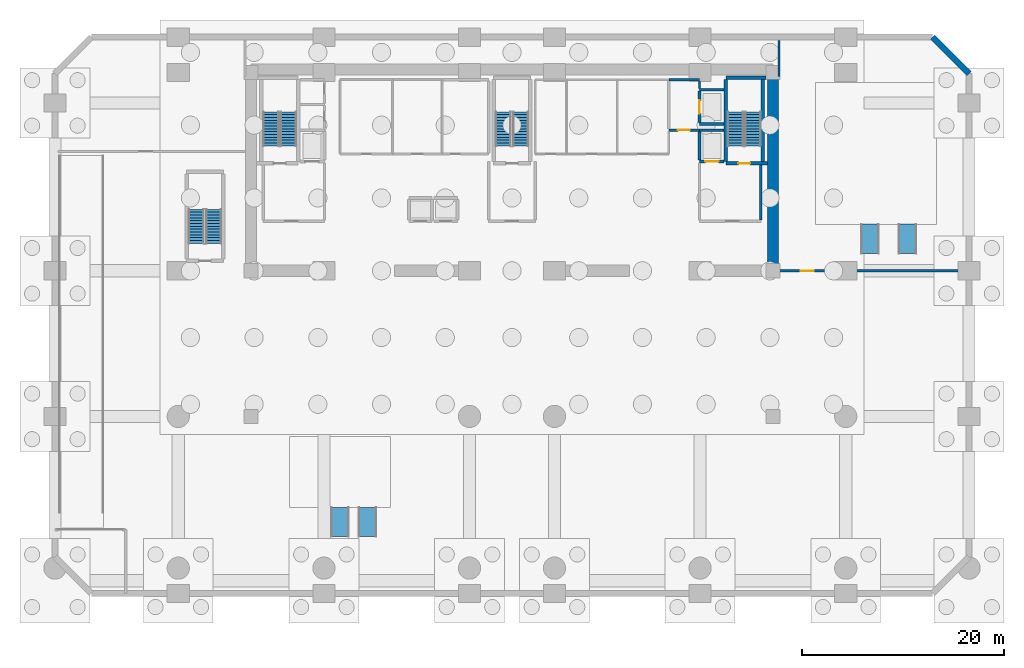
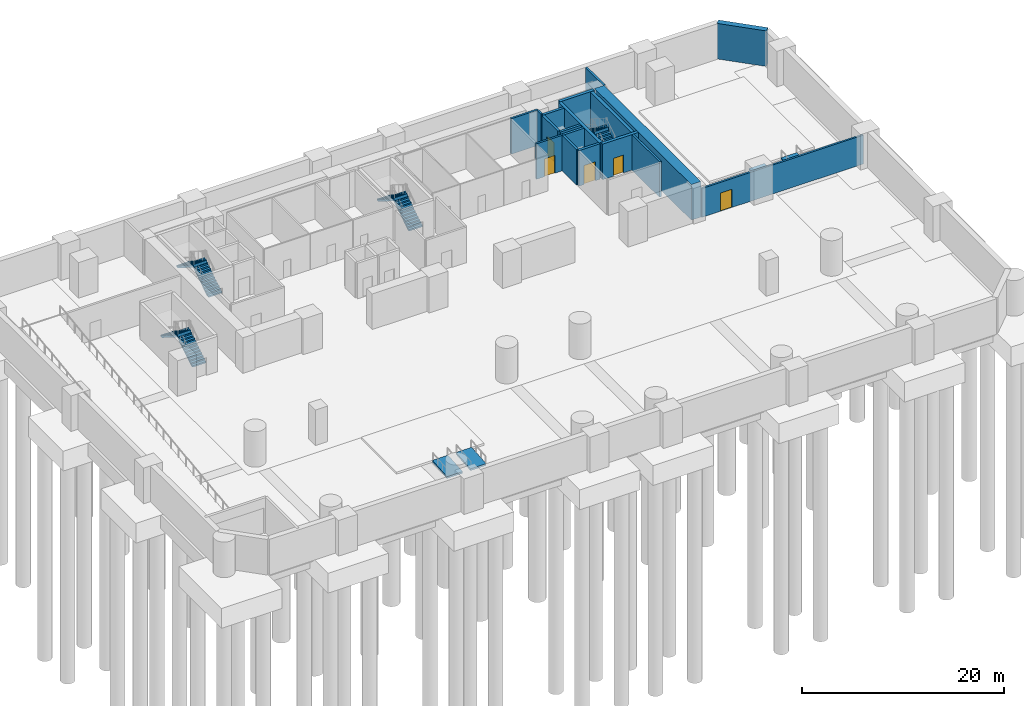
# One storey, part 6 of 10: 18 walls, 8 stair flights, 5 doors, 4 ramp flights, 5 openings, 8 elements without a shape of their own.
"""IFC4 building model written with IfcOpenShell, lengths in metres."""

from ifc_helpers import new_model, si_unit, direction, frame, frame_2d, origin, place, context, subcontext, project, spatial, polyline, rectangle, outline, extrude, material, layer, layer_set, type_object, element, fill, aggregate, save


model = new_model("IFC4")

# Units and contexts
model_context = context("Model", 3, precision=1e-05, world=origin(), true_north=direction((0.0, 1.0)))
body_context = subcontext(model_context, "Body", "Model", "MODEL_VIEW")
ifc_project = project(units=[si_unit("LENGTHUNIT", "METRE"), si_unit("AREAUNIT", "SQUARE_METRE"), si_unit("VOLUMEUNIT", "CUBIC_METRE"), si_unit("PLANEANGLEUNIT", "RADIAN"), si_unit("MASSUNIT", "GRAM", prefix="KILO")], contexts=[model_context])

# Site, building, storey
site_placement = place(None, origin())
site = spatial("IfcSite", under=ifc_project, at=site_placement, CompositionType="ELEMENT")
building_placement = place(site_placement, origin())
building = spatial("IfcBuilding", under=site, at=building_placement, Name="Kaelvorn Grand Hotel", CompositionType="ELEMENT")
storey_placement = place(building_placement, frame((0.0, 0.0, -9.199951171875)))
storey = spatial("IfcBuildingStorey", under=building, at=storey_placement, Name="B02", CompositionType="ELEMENT", Elevation=-9.199951171875)

# Walls
ifc_material_1 = material(Name="Concrete C80/95", Category="concrete")
ifc_layer_1 = layer(ifc_material_1, 1.10009765625)
ifc_layer_set_1 = layer_set([ifc_layer_1], Name="Concrete C80/95")
wall_type_1 = type_object("IfcWallType", Name="WL-CORE-1100-C80", PredefinedType="SHEAR", material=ifc_layer_set_1)
wall_1_placement = place(storey_placement, frame((67.800048828125, 29.39990234375, 0.0), z_axis=(0.0, 0.0, 1.0), x_axis=(0.0, 1.0, 0.0)))
element("IfcWall", 1, at=wall_1_placement, inside=storey, type_object=wall_type_1, Name="B02 Rear-Core East Shear Wall", PredefinedType="SHEAR", context=body_context, shape_type="SweptSolid", body=[
    extrude(rectangle(XDim=19.2001953125, YDim=1.10009765625, at=frame_2d((9.60009765625, 0.0))), origin(), (0.0, 0.0, 1.0), 4.300048828125),
])
ifc_material_2 = material(Name="Concrete C40/50", Category="concrete")
ifc_layer_2 = layer(ifc_material_2, 0.219970703125)
ifc_layer_set_2 = layer_set([ifc_layer_2], Name="Concrete C40/50")
wall_type_2 = type_object("IfcWallType", Name="WL-PART-220-EI120", PredefinedType="PARTITIONING", material=ifc_layer_set_2)
wall_2_placement = place(storey_placement, frame((66.60009765625, 34.4150390625, 0.0), z_axis=(0.0, 0.0, 1.0), x_axis=(0.0, 1.0, 0.0)))
element("IfcWall", 2, at=wall_2_placement, inside=storey, type_object=wall_type_2, Name="B02 Firefighting Lift Lobby 2 E Partition", PredefinedType="PARTITIONING", context=body_context, shape_type="SweptSolid", body=[
    extrude(rectangle(XDim=5.429931640625, YDim=0.219970703125, at=frame_2d((2.71484375, 0.0))), origin(), (0.0, 0.0, 1.0), 4.300048828125),
])

# Wall, opening, door
wall_3_placement = place(storey_placement, frame((57.5, 43.300048828125, 0.0), z_axis=(0.0, 0.0, 1.0), x_axis=(1.0, 0.0, 0.0)))
wall_3 = element("IfcWall", 3, at=wall_3_placement, inside=storey, type_object=wall_type_2, Name="B02 Service Lift Lobby S Partition", PredefinedType="PARTITIONING", context=body_context, shape_type="SweptSolid", body=[
    extrude(rectangle(XDim=3.0400390625, YDim=0.219970703125, at=frame_2d((1.52001953125, 0.0))), origin(), (0.0, 0.0, 1.0), 4.300048828125),
])
opening_1_placement = place(wall_3_placement, frame((0.89990234375, 0.0, 0.0)))
opening_1 = element("IfcOpeningElement", 4, at=opening_1_placement, cuts=wall_3, Name="Opening DI2", PredefinedType="OPENING", context=body_context, shape_type="SweptSolid", body=[
    extrude(rectangle(XDim=1.199951171875, YDim=2.14990234375, at=frame_2d((0.60009765625, 1.074951171875))), frame((0.0, 0.1201171875, 0.0), z_axis=(0.0, -1.0, 0.0), x_axis=(1.0, 0.0, 0.0)), (0.0, 0.0, 1.0), 0.239990234375),
])
ifc_material_3 = material(Name="Timber Veneer Fire Leaf", Category="wood")
door_type_1 = type_object("IfcDoorType", Name="DR-INT-FFLOB-1200x2150", OperationType="NOTDEFINED", PredefinedType="DOOR", material=ifc_material_3)
door_1_placement = place(opening_1_placement, origin())
door_1 = element("IfcDoor", 5, at=door_1_placement, inside=storey, type_object=door_type_1, Name="B02 Service Lift Lobby Door", OperationType="SINGLE_SWING_LEFT", OverallHeight=2.14990234375, OverallWidth=1.199951171875, PredefinedType="DOOR", context=body_context, shape_type="SweptSolid", body=[
    extrude(rectangle(XDim=1.199951171875, YDim=2.14990234375, at=frame_2d((0.60009765625, 1.074951171875))), frame((0.0, 0.02490234375, 0.0), z_axis=(0.0, -1.0, 0.0), x_axis=(1.0, 0.0, 0.0)), (0.0, 0.0, 1.0), 0.050048828125),
])
fill(opening_1, door_1)

# Walls
wall_4_placement = place(storey_placement, frame((57.5, 48.300048828125, 0.0), z_axis=(0.0, 0.0, 1.0), x_axis=(1.0, 0.0, 0.0)))
element("IfcWall", 6, at=wall_4_placement, inside=storey, type_object=wall_type_2, Name="B02 Service Lift Lobby N Partition", PredefinedType="PARTITIONING", context=body_context, shape_type="SweptSolid", body=[
    extrude(rectangle(XDim=3.050048828125, YDim=0.219970703125, at=frame_2d((1.52490234375, 0.0))), origin(), (0.0, 0.0, 1.0), 4.300048828125),
])
wall_5_placement = place(storey_placement, frame((60.550048828125, 47.445068359375, 0.0), z_axis=(0.0, 0.0, 1.0), x_axis=(0.0, 1.0, 0.0)))
element("IfcWall", 7, at=wall_5_placement, inside=storey, type_object=wall_type_2, Name="B02 Service Lift Lobby E Partition", PredefinedType="PARTITIONING", context=body_context, shape_type="SweptSolid", body=[
    extrude(rectangle(XDim=0.739990234375, YDim=0.219970703125, at=frame_2d((0.3701171875, 0.0))), origin(), (0.0, 0.0, 1.0), 4.300048828125),
])

# Wall, opening, door
wall_6_placement = place(storey_placement, frame((68.39990234375, 29.39990234375, 0.0), z_axis=(0.0, 0.0, 1.0), x_axis=(1.0, 0.0, 0.0)))
wall_6 = element("IfcWall", 8, at=wall_6_placement, inside=storey, type_object=wall_type_2, Name="B02 Central Water-Cooled Chiller Plant Room S Partition", PredefinedType="PARTITIONING", context=body_context, shape_type="SweptSolid", body=[
    extrude(rectangle(XDim=18.4951171875, YDim=0.219970703125, at=frame_2d((9.24755859375, 0.0))), origin(), (0.0, 0.0, 1.0), 3.5),
])
opening_2_placement = place(wall_6_placement, frame((2.14990234375, 0.0, 0.0)))
opening_2 = element("IfcOpeningElement", 9, at=opening_2_placement, cuts=wall_6, Name="Opening DI6", PredefinedType="OPENING", context=body_context, shape_type="SweptSolid", body=[
    extrude(rectangle(XDim=1.300048828125, YDim=2.199951171875, at=frame_2d((0.64990234375, 1.10009765625))), frame((0.0, 0.1201171875, 0.0), z_axis=(0.0, -1.0, 0.0), x_axis=(1.0, 0.0, 0.0)), (0.0, 0.0, 1.0), 0.239990234375),
])
ifc_material_4 = material(Name="Powder-Coated Steel Leaf", Category="steel")
door_type_2 = type_object("IfcDoorType", Name="DR-INT-PLANT-1300x2200", OperationType="DOUBLE_DOOR_SINGLE_SWING", PredefinedType="DOOR", material=ifc_material_4)
door_2_placement = place(opening_2_placement, origin())
door_2 = element("IfcDoor", 10, at=door_2_placement, inside=storey, type_object=door_type_2, Name="B02 Central Water-Cooled Chiller Plant Room Door", OperationType="DOUBLE_DOOR_SINGLE_SWING", OverallHeight=2.199951171875, OverallWidth=1.300048828125, PredefinedType="DOOR", context=body_context, shape_type="SweptSolid", body=[
    extrude(rectangle(XDim=1.300048828125, YDim=2.199951171875, at=frame_2d((0.64990234375, 1.10009765625))), frame((0.0, 0.02490234375, 0.0), z_axis=(0.0, -1.0, 0.0), x_axis=(1.0, 0.0, 0.0)), (0.0, 0.0, 1.0), 0.050048828125),
])
fill(opening_2, door_2)

# Walls
wall_7_placement = place(storey_placement, frame((68.39990234375, 48.610107421875, 0.0), z_axis=(0.0, 0.0, 1.0), x_axis=(0.0, 1.0, 0.0)))
element("IfcWall", 11, at=wall_7_placement, inside=storey, type_object=wall_type_2, Name="B02 Central Water-Cooled Chiller Plant Room W Partition", PredefinedType="PARTITIONING", context=body_context, shape_type="SweptSolid", body=[
    extrude(rectangle(XDim=3.5849609375, YDim=0.219970703125, at=frame_2d((1.79248046875, 0.0))), origin(), (0.0, 0.0, 1.0), 4.300048828125),
])
ifc_material_5 = material(Name="Concrete C50/60", Category="concrete")
ifc_layer_3 = layer(ifc_material_5, 0.60009765625)
ifc_layer_set_3 = layer_set([ifc_layer_3], Name="Concrete C50/60")
wall_type_3 = type_object("IfcWallType", Name="WL-RET-600-C50", PredefinedType="USERDEFINED", material=ifc_layer_set_3)
wall_8_placement = place(storey_placement, frame((87.199951171875, 48.89990234375, 0.0), z_axis=(0.0, 0.0, 1.0), x_axis=(-0.707082803744, 0.707130757816, 0.0)))
element("IfcWall", 12, at=wall_8_placement, inside=storey, type_object=wall_type_3, Name="B02 Perimeter Tanked Retaining Wall 04", ObjectType="RETAININGWALL", PredefinedType="USERDEFINED", context=body_context, shape_type="SweptSolid", body=[
    extrude(rectangle(XDim=5.091064453125, YDim=0.60009765625, at=frame_2d((2.54541015625, 0.0))), origin(), (0.0, 0.0, 1.0), 4.300048828125),
])

# Wall, opening, door
ifc_layer_4 = layer(ifc_material_5, 0.280029296875)
ifc_layer_set_4 = layer_set([ifc_layer_4], Name="Concrete C50/60")
wall_type_4 = type_object("IfcWallType", Name="WL-SHAFT-280-C50", PredefinedType="SHEAR", material=ifc_layer_set_4)
wall_9_placement = place(storey_placement, frame((60.550048828125, 40.199951171875, 0.0), z_axis=(0.0, 0.0, 1.0), x_axis=(1.0, 0.0, 0.0)))
wall_9 = element("IfcWall", 13, at=wall_9_placement, inside=storey, type_object=wall_type_4, Name="B02 Lift FFL2 Shaft South Wall", PredefinedType="SHEAR", context=body_context, shape_type="SweptSolid", body=[
    extrude(rectangle(XDim=2.4150390625, YDim=0.280029296875, at=frame_2d((1.20751953125, 0.0))), origin(), (0.0, 0.0, 1.0), 4.300048828125),
])
opening_3_placement = place(wall_9_placement, frame((0.574951171875, 0.0, 0.0)))
opening_3 = element("IfcOpeningElement", 14, at=opening_3_placement, cuts=wall_9, Name="Opening LD-FFL2", PredefinedType="OPENING", context=body_context, shape_type="SweptSolid", body=[
    extrude(rectangle(XDim=1.300048828125, YDim=2.300048828125, at=frame_2d((0.64990234375, 1.14990234375))), frame((0.0, 0.14990234375, 0.0), z_axis=(0.0, -1.0, 0.0), x_axis=(1.0, 0.0, 0.0)), (0.0, 0.0, 1.0), 0.300048828125),
])
ifc_material_6 = material(Name="Stainless Steel", Category="steel")
door_type_3 = type_object("IfcDoorType", Name="DR-LIFT-SERV-1300x2300", OperationType="DOUBLE_DOOR_SLIDING", PredefinedType="DOOR", material=ifc_material_6)
door_3_placement = place(opening_3_placement, origin())
door_3 = element("IfcDoor", 15, at=door_3_placement, inside=storey, type_object=door_type_3, Name="B02 Lift FFL2 Sliding Landing Door LD-FFL2", OperationType="DOUBLE_DOOR_SLIDING", OverallHeight=2.300048828125, OverallWidth=1.300048828125, PredefinedType="DOOR", context=body_context, shape_type="SweptSolid", body=[
    extrude(rectangle(XDim=1.300048828125, YDim=2.300048828125, at=frame_2d((0.64990234375, 1.14990234375))), frame((0.0, 0.02490234375, 0.0), z_axis=(0.0, -1.0, 0.0), x_axis=(1.0, 0.0, 0.0)), (0.0, 0.0, 1.0), 0.050048828125),
])
fill(opening_3, door_3)

# Walls
wall_10_placement = place(storey_placement, frame((60.550048828125, 43.300048828125, 0.0), z_axis=(0.0, 0.0, 1.0), x_axis=(1.0, 0.0, 0.0)))
element("IfcWall", 16, at=wall_10_placement, inside=storey, type_object=wall_type_4, Name="B02 Lift FFL2 Shaft North Wall", PredefinedType="SHEAR", context=body_context, shape_type="SweptSolid", body=[
    extrude(rectangle(XDim=2.4150390625, YDim=0.280029296875, at=frame_2d((1.20751953125, 0.0))), origin(), (0.0, 0.0, 1.0), 4.300048828125),
])
wall_11_placement = place(storey_placement, frame((60.550048828125, 40.344970703125, 0.0), z_axis=(0.0, 0.0, 1.0), x_axis=(0.0, 1.0, 0.0)))
element("IfcWall", 17, at=wall_11_placement, inside=storey, type_object=wall_type_4, Name="B02 Lift FFL2 Shaft West Wall", PredefinedType="SHEAR", context=body_context, shape_type="SweptSolid", body=[
    extrude(rectangle(XDim=2.81005859375, YDim=0.280029296875, at=frame_2d((1.405029296875, 0.0))), origin(), (0.0, 0.0, 1.0), 4.300048828125),
])
for number, where, z_axis, x_axis, name in (
    (18, (60.550048828125, 43.89990234375, 0.0), (0.0, 0.0, 1.0), (1.0, 0.0, 0.0), "B02 Lift SV1 Shaft South Wall"),
    (19, (60.550048828125, 47.300048828125, 0.0), (0.0, 0.0, 1.0), (1.0, 0.0, 0.0), "B02 Lift SV1 Shaft North Wall"),
):
    element("IfcWall", number, at=place(storey_placement, frame(where, z_axis=z_axis, x_axis=x_axis)), inside=storey, type_object=wall_type_4, Name=name, PredefinedType="SHEAR", context=body_context, shape_type="SweptSolid", body=[
        extrude(rectangle(XDim=2.4150390625, YDim=0.280029296875, at=frame_2d((1.20751953125, 0.0))), origin(), (0.0, 0.0, 1.0), 4.300048828125),
    ])

# Wall, opening, door
wall_12_placement = place(storey_placement, frame((60.550048828125, 44.044921875, 0.0), z_axis=(0.0, 0.0, 1.0), x_axis=(0.0, 1.0, 0.0)))
wall_12 = element("IfcWall", 20, at=wall_12_placement, inside=storey, type_object=wall_type_4, Name="B02 Lift SV1 Shaft West Wall", PredefinedType="SHEAR", context=body_context, shape_type="SweptSolid", body=[
    extrude(rectangle(XDim=3.110107421875, YDim=0.280029296875, at=frame_2d((1.55517578125, 0.0))), origin(), (0.0, 0.0, 1.0), 4.300048828125),
])
opening_4_placement = place(wall_12_placement, frame((0.905029296875, 0.0, 0.0)))
opening_4 = element("IfcOpeningElement", 21, at=opening_4_placement, cuts=wall_12, Name="Opening LD-SV1", PredefinedType="OPENING", context=body_context, shape_type="SweptSolid", body=[
    extrude(rectangle(XDim=1.300048828125, YDim=2.300048828125, at=frame_2d((0.64990234375, 1.14990234375))), frame((0.0, 0.14990234375, 0.0), z_axis=(0.0, -1.0, 0.0), x_axis=(1.0, 0.0, 0.0)), (0.0, 0.0, 1.0), 0.300048828125),
])
door_4_placement = place(opening_4_placement, origin())
door_4 = element("IfcDoor", 22, at=door_4_placement, inside=storey, type_object=door_type_3, Name="B02 Lift SV1 Sliding Landing Door LD-SV1", OperationType="DOUBLE_DOOR_SLIDING", OverallHeight=2.300048828125, OverallWidth=1.300048828125, PredefinedType="DOOR", context=body_context, shape_type="SweptSolid", body=[
    extrude(rectangle(XDim=1.300048828125, YDim=2.300048828125, at=frame_2d((0.64990234375, 1.14990234375))), frame((0.0, 0.02490234375, 0.0), z_axis=(0.0, -1.0, 0.0), x_axis=(1.0, 0.0, 0.0)), (0.0, 0.0, 1.0), 0.050048828125),
])
fill(opening_4, door_4)

ifc_material_7 = material(Name="Concrete C60/75", Category="concrete")
ifc_layer_5 = layer(ifc_material_7, 0.35009765625)
ifc_layer_set_5 = layer_set([ifc_layer_5], Name="Concrete C60/75")
wall_type_5 = type_object("IfcWallType", Name="WL-SHAFT-350-C60", PredefinedType="SHEAR", material=ifc_layer_set_5)
wall_13_placement = place(storey_placement, frame((63.14501953125, 40.02490234375, 0.0), z_axis=(0.0, 0.0, 1.0), x_axis=(1.0, 0.0, 0.0)))
wall_13 = element("IfcWall", 23, at=wall_13_placement, inside=storey, type_object=wall_type_5, Name="B02 ST3 Stair Shaft South Wall", PredefinedType="SHEAR", context=body_context, shape_type="SweptSolid", body=[
    extrude(rectangle(XDim=4.10009765625, YDim=0.35009765625, at=frame_2d((2.050048828125, 0.0))), origin(), (0.0, 0.0, 1.0), 4.300048828125),
])
opening_5_placement = place(wall_13_placement, frame((1.239990234375, 0.0, 0.0)))
opening_5 = element("IfcOpeningElement", 24, at=opening_5_placement, cuts=wall_13, Name="Opening DI1", PredefinedType="OPENING", context=body_context, shape_type="SweptSolid", body=[
    extrude(rectangle(XDim=1.14990234375, YDim=2.14990234375, at=frame_2d((0.574951171875, 1.074951171875))), frame((0.0, 0.18505859375, 0.0), z_axis=(0.0, -1.0, 0.0), x_axis=(1.0, 0.0, 0.0)), (0.0, 0.0, 1.0), 0.3701171875),
])
door_type_4 = type_object("IfcDoorType", Name="DR-INT-STAIR-1150x2150", OperationType="NOTDEFINED", PredefinedType="DOOR", material=ifc_material_3)
door_5_placement = place(opening_5_placement, origin())
door_5 = element("IfcDoor", 25, at=door_5_placement, inside=storey, type_object=door_type_4, Name="B02 ST3 Exit Stair Fire Door", OperationType="SINGLE_SWING_RIGHT", OverallHeight=2.14990234375, OverallWidth=1.14990234375, PredefinedType="DOOR", context=body_context, shape_type="SweptSolid", body=[
    extrude(rectangle(XDim=1.14990234375, YDim=2.14990234375, at=frame_2d((0.574951171875, 1.074951171875))), frame((0.0, 0.02490234375, 0.0), z_axis=(0.0, -1.0, 0.0), x_axis=(1.0, 0.0, 0.0)), (0.0, 0.0, 1.0), 0.050048828125),
])
fill(opening_5, door_5)

# Walls
wall_14_placement = place(storey_placement, frame((63.14501953125, 48.47509765625, 0.0), z_axis=(0.0, 0.0, 1.0), x_axis=(1.0, 0.0, 0.0)))
element("IfcWall", 26, at=wall_14_placement, inside=storey, type_object=wall_type_5, Name="B02 ST3 Stair Shaft North Wall", PredefinedType="SHEAR", context=body_context, shape_type="SweptSolid", body=[
    extrude(rectangle(XDim=3.949951171875, YDim=0.35009765625, at=frame_2d((1.97509765625, 0.0))), origin(), (0.0, 0.0, 1.0), 4.300048828125),
])
for number, where, z_axis, x_axis, name in (
    (27, (63.14501953125, 40.205078125, 0.0), (0.0, 0.0, 1.0), (0.0, 1.0, 0.0), "B02 ST3 Stair Shaft West Wall"),
    (28, (66.77490234375, 40.205078125, 0.0), (0.0, 0.0, 1.0), (0.0, 1.0, 0.0), "B02 ST3 Stair Shaft East Wall"),
):
    element("IfcWall", number, at=place(storey_placement, frame(where, z_axis=z_axis, x_axis=x_axis)), inside=storey, type_object=wall_type_5, Name=name, PredefinedType="SHEAR", context=body_context, shape_type="SweptSolid", body=[
        extrude(rectangle(XDim=8.08984375, YDim=0.35009765625, at=frame_2d((4.044921875, 0.0))), origin(), (0.0, 0.0, 1.0), 4.300048828125),
    ])

# Stair, stair flights
stair_type = type_object("IfcStairType", Name="STR-DOG-1560-R01", PredefinedType="HALF_TURN_STAIR", material=ifc_material_2)
stair_1_placement = place(storey_placement, origin())
stair_1 = element("IfcStair", 29, at=stair_1_placement, inside=storey, type_object=stair_type, Name="B02 West Core Exit Stair ST1", PredefinedType="HALF_TURN_STAIR")
stair_flight_type = type_object("IfcStairFlightType", Name="FLG-DOG-1560-R01", PredefinedType="STRAIGHT", material=ifc_material_2)
stair_flight_1_placement = place(storey_placement, frame((19.89990234375, 41.760009765625, 0.0), z_axis=(0.0, 0.0, 1.0), x_axis=(0.0, 1.0, 0.0)))
stair_flight_1 = element("IfcStairFlight", 30, at=stair_flight_1_placement, type_object=stair_flight_type, Name="ST1 flight 1", NumberOfRisers=13, NumberOfTreads=12, PredefinedType="STRAIGHT", RiserHeight=0.176923077, TreadLength=0.28, context=body_context, shape_type="SweptSolid", body=[
    extrude(outline(polyline([(-0.0048828125, 0.0), (-0.0048828125, 0.0400390625), (0.0, 0.177001953125), (0.280029296875, 0.177001953125), (0.280029296875, 0.353759765625), (0.56005859375, 0.353759765625), (0.56005859375, 0.53076171875), (0.840087890625, 0.53076171875), (0.840087890625, 0.707763671875), (1.1201171875, 0.707763671875), (1.1201171875, 0.884521484375), (1.39990234375, 0.884521484375), (1.39990234375, 1.0615234375), (1.679931640625, 1.0615234375), (1.679931640625, 1.238525390625), (1.9599609375, 1.238525390625), (1.9599609375, 1.415283203125), (2.239990234375, 1.415283203125), (2.239990234375, 1.59228515625), (2.52001953125, 1.59228515625), (2.52001953125, 1.769287109375), (2.800048828125, 1.769287109375), (2.800048828125, 1.946044921875), (3.080078125, 1.946044921875), (3.080078125, 2.123046875), (3.360107421875, 2.123046875), (3.360107421875, 2.300048828125), (3.364990234375, 2.300048828125), (3.364990234375, 1.94580078125), (0.280517578125, 0.0), (-0.0048828125, 0.0)])), frame((0.0, 0.780029296875, 0.0), z_axis=(0.0, -1.0, 0.0), x_axis=(1.0, 0.0, 0.0)), (0.0, 0.0, 1.0), 1.56005859375),
])
stair_flight_2_placement = place(storey_placement, frame((18.179931640625, 45.1201171875, 2.300048828125), z_axis=(0.0, 0.0, 1.0), x_axis=(0.0, -1.0, 0.0)))
stair_flight_2 = element("IfcStairFlight", 31, at=stair_flight_2_placement, type_object=stair_flight_type, Name="ST1 flight 2", NumberOfRisers=13, NumberOfTreads=12, PredefinedType="STRAIGHT", RiserHeight=0.176923077, TreadLength=0.28, context=body_context, shape_type="SweptSolid", body=[
    extrude(outline(polyline([(-0.0048828125, 0.0), (-0.0048828125, 0.0400390625), (0.0, 0.177001953125), (0.280029296875, 0.177001953125), (0.280029296875, 0.353759765625), (0.56005859375, 0.353759765625), (0.56005859375, 0.53076171875), (0.840087890625, 0.53076171875), (0.840087890625, 0.707763671875), (1.1201171875, 0.707763671875), (1.1201171875, 0.884521484375), (1.39990234375, 0.884521484375), (1.39990234375, 1.0615234375), (1.679931640625, 1.0615234375), (1.679931640625, 1.238525390625), (1.9599609375, 1.238525390625), (1.9599609375, 1.415283203125), (2.239990234375, 1.415283203125), (2.239990234375, 1.59228515625), (2.52001953125, 1.59228515625), (2.52001953125, 1.769287109375), (2.800048828125, 1.769287109375), (2.800048828125, 1.946044921875), (3.080078125, 1.946044921875), (3.080078125, 2.123046875), (3.360107421875, 2.123046875), (3.360107421875, 2.300048828125), (3.364990234375, 2.300048828125), (3.364990234375, 1.94580078125), (0.280517578125, 0.0), (-0.0048828125, 0.0)])), frame((0.0, 0.780029296875, 0.0), z_axis=(0.0, -1.0, 0.0), x_axis=(1.0, 0.0, 0.0)), (0.0, 0.0, 1.0), 1.56005859375),
])
aggregate(stair_1, [stair_flight_1, stair_flight_2])

stair_2_placement = place(storey_placement, origin())
stair_2 = element("IfcStair", 32, at=stair_2_placement, inside=storey, type_object=stair_type, Name="B02 Central Core Exit Stair ST2", PredefinedType="HALF_TURN_STAIR")
stair_flight_3_placement = place(storey_placement, frame((42.860107421875, 41.760009765625, 0.0), z_axis=(0.0, 0.0, 1.0), x_axis=(0.0, 1.0, 0.0)))
stair_flight_3 = element("IfcStairFlight", 33, at=stair_flight_3_placement, type_object=stair_flight_type, Name="ST2 flight 1", NumberOfRisers=13, NumberOfTreads=12, PredefinedType="STRAIGHT", RiserHeight=0.176923077, TreadLength=0.28, context=body_context, shape_type="SweptSolid", body=[
    extrude(outline(polyline([(-0.0048828125, 0.0), (-0.0048828125, 0.0400390625), (0.0, 0.177001953125), (0.280029296875, 0.177001953125), (0.280029296875, 0.353759765625), (0.56005859375, 0.353759765625), (0.56005859375, 0.53076171875), (0.840087890625, 0.53076171875), (0.840087890625, 0.707763671875), (1.1201171875, 0.707763671875), (1.1201171875, 0.884521484375), (1.39990234375, 0.884521484375), (1.39990234375, 1.0615234375), (1.679931640625, 1.0615234375), (1.679931640625, 1.238525390625), (1.9599609375, 1.238525390625), (1.9599609375, 1.415283203125), (2.239990234375, 1.415283203125), (2.239990234375, 1.59228515625), (2.52001953125, 1.59228515625), (2.52001953125, 1.769287109375), (2.800048828125, 1.769287109375), (2.800048828125, 1.946044921875), (3.080078125, 1.946044921875), (3.080078125, 2.123046875), (3.360107421875, 2.123046875), (3.360107421875, 2.300048828125), (3.364990234375, 2.300048828125), (3.364990234375, 1.94580078125), (0.280517578125, 0.0), (-0.0048828125, 0.0)])), frame((0.0, 0.780029296875, 0.0), z_axis=(0.0, -1.0, 0.0), x_axis=(1.0, 0.0, 0.0)), (0.0, 0.0, 1.0), 1.56005859375),
])
stair_flight_4_placement = place(storey_placement, frame((41.139892578125, 45.1201171875, 2.300048828125), z_axis=(0.0, 0.0, 1.0), x_axis=(0.0, -1.0, 0.0)))
stair_flight_4 = element("IfcStairFlight", 34, at=stair_flight_4_placement, type_object=stair_flight_type, Name="ST2 flight 2", NumberOfRisers=13, NumberOfTreads=12, PredefinedType="STRAIGHT", RiserHeight=0.176923077, TreadLength=0.28, context=body_context, shape_type="SweptSolid", body=[
    extrude(outline(polyline([(-0.0048828125, 0.0), (-0.0048828125, 0.0400390625), (0.0, 0.177001953125), (0.280029296875, 0.177001953125), (0.280029296875, 0.353759765625), (0.56005859375, 0.353759765625), (0.56005859375, 0.53076171875), (0.840087890625, 0.53076171875), (0.840087890625, 0.707763671875), (1.1201171875, 0.707763671875), (1.1201171875, 0.884521484375), (1.39990234375, 0.884521484375), (1.39990234375, 1.0615234375), (1.679931640625, 1.0615234375), (1.679931640625, 1.238525390625), (1.9599609375, 1.238525390625), (1.9599609375, 1.415283203125), (2.239990234375, 1.415283203125), (2.239990234375, 1.59228515625), (2.52001953125, 1.59228515625), (2.52001953125, 1.769287109375), (2.800048828125, 1.769287109375), (2.800048828125, 1.946044921875), (3.080078125, 1.946044921875), (3.080078125, 2.123046875), (3.360107421875, 2.123046875), (3.360107421875, 2.300048828125), (3.364990234375, 2.300048828125), (3.364990234375, 1.94580078125), (0.280517578125, 0.0), (-0.0048828125, 0.0)])), frame((0.0, 0.780029296875, 0.0), z_axis=(0.0, -1.0, 0.0), x_axis=(1.0, 0.0, 0.0)), (0.0, 0.0, 1.0), 1.56005859375),
])
aggregate(stair_2, [stair_flight_3, stair_flight_4])

stair_3_placement = place(storey_placement, origin())
stair_3 = element("IfcStair", 35, at=stair_3_placement, inside=storey, type_object=stair_type, Name="B02 East Core Exit Stair ST3", PredefinedType="HALF_TURN_STAIR")
stair_flight_5_placement = place(storey_placement, frame((65.820068359375, 41.760009765625, 0.0), z_axis=(0.0, 0.0, 1.0), x_axis=(0.0, 1.0, 0.0)))
stair_flight_5 = element("IfcStairFlight", 36, at=stair_flight_5_placement, type_object=stair_flight_type, Name="ST3 flight 1", NumberOfRisers=13, NumberOfTreads=12, PredefinedType="STRAIGHT", RiserHeight=0.176923077, TreadLength=0.28, context=body_context, shape_type="SweptSolid", body=[
    extrude(outline(polyline([(-0.0048828125, 0.0), (-0.0048828125, 0.0400390625), (0.0, 0.177001953125), (0.280029296875, 0.177001953125), (0.280029296875, 0.353759765625), (0.56005859375, 0.353759765625), (0.56005859375, 0.53076171875), (0.840087890625, 0.53076171875), (0.840087890625, 0.707763671875), (1.1201171875, 0.707763671875), (1.1201171875, 0.884521484375), (1.39990234375, 0.884521484375), (1.39990234375, 1.0615234375), (1.679931640625, 1.0615234375), (1.679931640625, 1.238525390625), (1.9599609375, 1.238525390625), (1.9599609375, 1.415283203125), (2.239990234375, 1.415283203125), (2.239990234375, 1.59228515625), (2.52001953125, 1.59228515625), (2.52001953125, 1.769287109375), (2.800048828125, 1.769287109375), (2.800048828125, 1.946044921875), (3.080078125, 1.946044921875), (3.080078125, 2.123046875), (3.360107421875, 2.123046875), (3.360107421875, 2.300048828125), (3.364990234375, 2.300048828125), (3.364990234375, 1.94580078125), (0.280517578125, 0.0), (-0.0048828125, 0.0)])), frame((0.0, 0.780029296875, 0.0), z_axis=(0.0, -1.0, 0.0), x_axis=(1.0, 0.0, 0.0)), (0.0, 0.0, 1.0), 1.56005859375),
])
stair_flight_6_placement = place(storey_placement, frame((64.10009765625, 45.1201171875, 2.300048828125), z_axis=(0.0, 0.0, 1.0), x_axis=(0.0, -1.0, 0.0)))
stair_flight_6 = element("IfcStairFlight", 37, at=stair_flight_6_placement, type_object=stair_flight_type, Name="ST3 flight 2", NumberOfRisers=13, NumberOfTreads=12, PredefinedType="STRAIGHT", RiserHeight=0.176923077, TreadLength=0.28, context=body_context, shape_type="SweptSolid", body=[
    extrude(outline(polyline([(-0.0048828125, 0.0), (-0.0048828125, 0.0400390625), (0.0, 0.177001953125), (0.280029296875, 0.177001953125), (0.280029296875, 0.353759765625), (0.56005859375, 0.353759765625), (0.56005859375, 0.53076171875), (0.840087890625, 0.53076171875), (0.840087890625, 0.707763671875), (1.1201171875, 0.707763671875), (1.1201171875, 0.884521484375), (1.39990234375, 0.884521484375), (1.39990234375, 1.0615234375), (1.679931640625, 1.0615234375), (1.679931640625, 1.238525390625), (1.9599609375, 1.238525390625), (1.9599609375, 1.415283203125), (2.239990234375, 1.415283203125), (2.239990234375, 1.59228515625), (2.52001953125, 1.59228515625), (2.52001953125, 1.769287109375), (2.800048828125, 1.769287109375), (2.800048828125, 1.946044921875), (3.080078125, 1.946044921875), (3.080078125, 2.123046875), (3.360107421875, 2.123046875), (3.360107421875, 2.300048828125), (3.364990234375, 2.300048828125), (3.364990234375, 1.94580078125), (0.280517578125, 0.0), (-0.0048828125, 0.0)])), frame((0.0, 0.780029296875, 0.0), z_axis=(0.0, -1.0, 0.0), x_axis=(1.0, 0.0, 0.0)), (0.0, 0.0, 1.0), 1.56005859375),
])
aggregate(stair_3, [stair_flight_5, stair_flight_6])

stair_4_placement = place(storey_placement, origin())
stair_4 = element("IfcStair", 38, at=stair_4_placement, inside=storey, type_object=stair_type, Name="B02 Podium Grand Stair ST4", PredefinedType="HALF_TURN_STAIR")
stair_flight_7_placement = place(storey_placement, frame((12.5, 32.110107421875, 0.0), z_axis=(0.0, 0.0, 1.0), x_axis=(0.0, 1.0, 0.0)))
stair_flight_7 = element("IfcStairFlight", 39, at=stair_flight_7_placement, type_object=stair_flight_type, Name="ST4 flight 1", NumberOfRisers=13, NumberOfTreads=12, PredefinedType="STRAIGHT", RiserHeight=0.176923077, TreadLength=0.28, context=body_context, shape_type="SweptSolid", body=[
    extrude(outline(polyline([(-0.0048828125, 0.0), (-0.0048828125, 0.0400390625), (0.0, 0.177001953125), (0.280029296875, 0.177001953125), (0.280029296875, 0.353759765625), (0.56005859375, 0.353759765625), (0.56005859375, 0.53076171875), (0.840087890625, 0.53076171875), (0.840087890625, 0.707763671875), (1.1201171875, 0.707763671875), (1.1201171875, 0.884521484375), (1.39990234375, 0.884521484375), (1.39990234375, 1.0615234375), (1.679931640625, 1.0615234375), (1.679931640625, 1.238525390625), (1.9599609375, 1.238525390625), (1.9599609375, 1.415283203125), (2.239990234375, 1.415283203125), (2.239990234375, 1.59228515625), (2.52001953125, 1.59228515625), (2.52001953125, 1.769287109375), (2.800048828125, 1.769287109375), (2.800048828125, 1.946044921875), (3.080078125, 1.946044921875), (3.080078125, 2.123046875), (3.360107421875, 2.123046875), (3.360107421875, 2.300048828125), (3.364990234375, 2.300048828125), (3.364990234375, 1.94580078125), (0.280517578125, 0.0), (-0.0048828125, 0.0)])), frame((0.0, 0.780029296875, 0.0), z_axis=(0.0, -1.0, 0.0), x_axis=(1.0, 0.0, 0.0)), (0.0, 0.0, 1.0), 1.56005859375),
])
stair_flight_8_placement = place(storey_placement, frame((10.780029296875, 35.469970703125, 2.300048828125), z_axis=(0.0, 0.0, 1.0), x_axis=(0.0, -1.0, 0.0)))
stair_flight_8 = element("IfcStairFlight", 40, at=stair_flight_8_placement, type_object=stair_flight_type, Name="ST4 flight 2", NumberOfRisers=13, NumberOfTreads=12, PredefinedType="STRAIGHT", RiserHeight=0.176923077, TreadLength=0.28, context=body_context, shape_type="SweptSolid", body=[
    extrude(outline(polyline([(-0.0048828125, 0.0), (-0.0048828125, 0.0400390625), (0.0, 0.177001953125), (0.280029296875, 0.177001953125), (0.280029296875, 0.353759765625), (0.56005859375, 0.353759765625), (0.56005859375, 0.53076171875), (0.840087890625, 0.53076171875), (0.840087890625, 0.707763671875), (1.1201171875, 0.707763671875), (1.1201171875, 0.884521484375), (1.39990234375, 0.884521484375), (1.39990234375, 1.0615234375), (1.679931640625, 1.0615234375), (1.679931640625, 1.238525390625), (1.9599609375, 1.238525390625), (1.9599609375, 1.415283203125), (2.239990234375, 1.415283203125), (2.239990234375, 1.59228515625), (2.52001953125, 1.59228515625), (2.52001953125, 1.769287109375), (2.800048828125, 1.769287109375), (2.800048828125, 1.946044921875), (3.080078125, 1.946044921875), (3.080078125, 2.123046875), (3.360107421875, 2.123046875), (3.360107421875, 2.300048828125), (3.364990234375, 2.300048828125), (3.364990234375, 1.94580078125), (0.280517578125, 0.0), (-0.0048828125, 0.0)])), frame((0.0, 0.780029296875, 0.0), z_axis=(0.0, -1.0, 0.0), x_axis=(1.0, 0.0, 0.0)), (0.0, 0.0, 1.0), 1.56005859375),
])
aggregate(stair_4, [stair_flight_7, stair_flight_8])

# Ramp, ramp flight
ramp_type = type_object("IfcRampType", Name="RMP-ACC-1800", PredefinedType="STRAIGHT_RUN_RAMP", material=ifc_material_2)
ramp_1_placement = place(storey_placement, origin())
ramp_1 = element("IfcRamp", 41, at=ramp_1_placement, inside=storey, type_object=ramp_type, Name="B02 Accessible Plinth Approach Ramp AR1", PredefinedType="STRAIGHT_RUN_RAMP")
ifc_layer_6 = layer(ifc_material_2, 0.219970703125)
ifc_layer_set_6 = layer_set([ifc_layer_6], Name="Concrete C40/50")
ramp_flight_type = type_object("IfcRampFlightType", Name="RMPF-ACC-1800", PredefinedType="STRAIGHT", material=ifc_layer_set_6)
ramp_flight_1_placement = place(storey_placement, frame((77.39990234375, 31.114990234375, 0.0), z_axis=(0.0, 0.0, 1.0), x_axis=(0.0, 1.0, 0.0)))
ramp_flight_1 = element("IfcRampFlight", 42, at=ramp_flight_1_placement, type_object=ramp_flight_type, Name="B02 Accessible Ramp Flight AR1-F1", PredefinedType="STRAIGHT", context=body_context, shape_type="SweptSolid", body=[
    extrude(outline(polyline([(0.0, 0.0), (2.889892578125, 0.239990234375), (2.889892578125, 0.02001953125), (0.0, -0.219970703125), (0.0, 0.0)])), frame((0.0, 0.89990234375, 0.0), z_axis=(0.0, -1.0, 0.0), x_axis=(1.0, 0.0, 0.0)), (0.0, 0.0, 1.0), 1.800048828125),
])
aggregate(ramp_1, [ramp_flight_1])

ramp_2_placement = place(storey_placement, origin())
ramp_2 = element("IfcRamp", 43, at=ramp_2_placement, inside=storey, type_object=ramp_type, Name="B02 Accessible Plinth Approach Ramp AR2", PredefinedType="STRAIGHT_RUN_RAMP")
ramp_flight_2_placement = place(storey_placement, frame((25.0, 3.114990234375, 0.0), z_axis=(0.0, 0.0, 1.0), x_axis=(0.0, 1.0, 0.0)))
ramp_flight_2 = element("IfcRampFlight", 44, at=ramp_flight_2_placement, type_object=ramp_flight_type, Name="B02 Accessible Ramp Flight AR2-F1", PredefinedType="STRAIGHT", context=body_context, shape_type="SweptSolid", body=[
    extrude(outline(polyline([(0.0, 0.0), (2.889892578125, 0.239990234375), (2.889892578125, 0.02001953125), (0.0, -0.219970703125), (0.0, 0.0)])), frame((0.0, 0.89990234375, 0.0), z_axis=(0.0, -1.0, 0.0), x_axis=(1.0, 0.0, 0.0)), (0.0, 0.0, 1.0), 1.7998046875),
])
aggregate(ramp_2, [ramp_flight_2])

ramp_3_placement = place(storey_placement, origin())
ramp_3 = element("IfcRamp", 45, at=ramp_3_placement, inside=storey, type_object=ramp_type, Name="B02 Accessible Plinth Approach Ramp AR5", PredefinedType="STRAIGHT_RUN_RAMP")
ramp_flight_3_placement = place(storey_placement, frame((81.10009765625, 31.114990234375, 0.0), z_axis=(0.0, 0.0, 1.0), x_axis=(0.0, 1.0, 0.0)))
ramp_flight_3 = element("IfcRampFlight", 46, at=ramp_flight_3_placement, type_object=ramp_flight_type, Name="B02 Accessible Ramp Flight AR5-F1", PredefinedType="STRAIGHT", context=body_context, shape_type="SweptSolid", body=[
    extrude(outline(polyline([(0.0, 0.0), (2.889892578125, 0.239990234375), (2.889892578125, 0.02001953125), (0.0, -0.219970703125), (0.0, 0.0)])), frame((0.0, 0.89990234375, 0.0), z_axis=(0.0, -1.0, 0.0), x_axis=(1.0, 0.0, 0.0)), (0.0, 0.0, 1.0), 1.800048828125),
])
aggregate(ramp_3, [ramp_flight_3])

ramp_4_placement = place(storey_placement, origin())
ramp_4 = element("IfcRamp", 47, at=ramp_4_placement, inside=storey, type_object=ramp_type, Name="B02 Accessible Plinth Approach Ramp AR6", PredefinedType="STRAIGHT_RUN_RAMP")
ramp_flight_4_placement = place(storey_placement, frame((27.7001953125, 3.114990234375, 0.0), z_axis=(0.0, 0.0, 1.0), x_axis=(0.0, 1.0, 0.0)))
ramp_flight_4 = element("IfcRampFlight", 48, at=ramp_flight_4_placement, type_object=ramp_flight_type, Name="B02 Accessible Ramp Flight AR6-F1", PredefinedType="STRAIGHT", context=body_context, shape_type="SweptSolid", body=[
    extrude(outline(polyline([(0.0, 0.0), (2.889892578125, 0.239990234375), (2.889892578125, 0.02001953125), (0.0, -0.219970703125), (0.0, 0.0)])), frame((0.0, 0.89990234375, 0.0), z_axis=(0.0, -1.0, 0.0), x_axis=(1.0, 0.0, 0.0)), (0.0, 0.0, 1.0), 1.800048828125),
])
aggregate(ramp_4, [ramp_flight_4])

save(model, "model.ifc")
